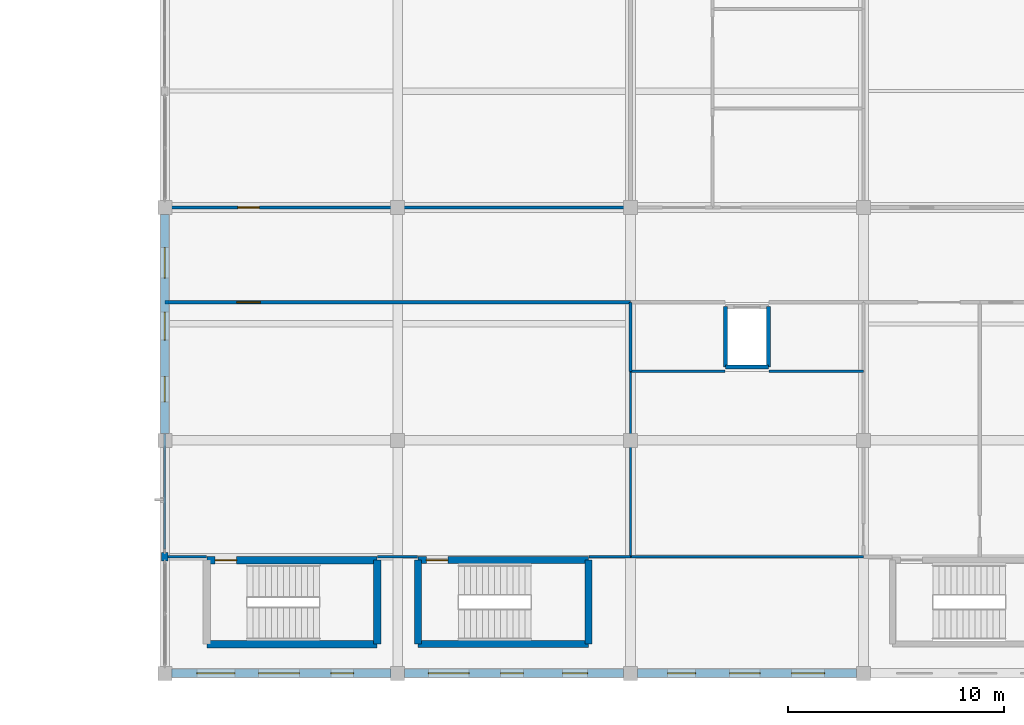
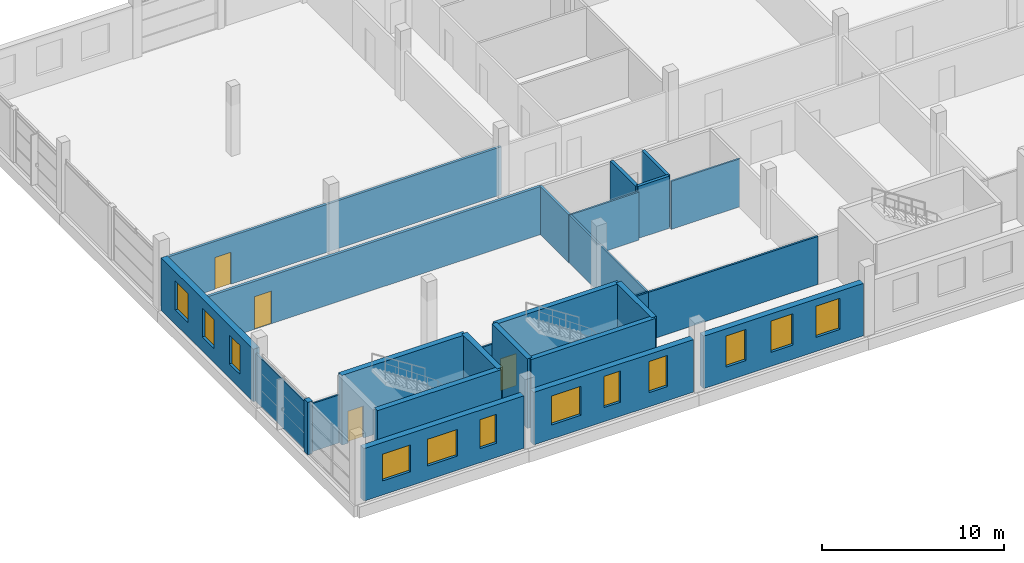
# One storey, part 14 of 24: 26 walls, 12 windows, 4 doors, 16 openings.
"""IFC4 building model written with IfcOpenShell, lengths in metres."""

from ifc_helpers import new_model, si_unit, direction, frame, frame_2d, origin, place, context, subcontext, project, spatial, rectangle, extrude, material, layer, layer_set, type_object, element, fill, save


model = new_model("IFC4")

# Units and contexts
model_context = context("Model", 3, precision=1e-05, world=origin(), true_north=direction((0.0, 1.0)))
body_context = subcontext(model_context, "Body", "Model", "MODEL_VIEW")
ifc_project = project(units=[si_unit("LENGTHUNIT", "METRE"), si_unit("AREAUNIT", "SQUARE_METRE"), si_unit("VOLUMEUNIT", "CUBIC_METRE"), si_unit("PLANEANGLEUNIT", "RADIAN"), si_unit("MASSUNIT", "GRAM", prefix="KILO")], contexts=[model_context])

# Site, building, storey
site_placement = place(None, origin())
site = spatial("IfcSite", under=ifc_project, at=site_placement, CompositionType="ELEMENT")
building_placement = place(site_placement, origin())
building = spatial("IfcBuilding", under=site, at=building_placement, Name="Zwinboog Wholesale Market", CompositionType="ELEMENT")
storey_placement = place(building_placement, frame((0.0, 0.0, 10.080078125)))
storey = spatial("IfcBuildingStorey", under=building, at=storey_placement, Name="L02", CompositionType="ELEMENT", Elevation=10.080078125)

# Wall, openings, windows
ifc_material_1 = material(Name="Precast concrete C45/55", Category="concrete")
ifc_layer_1 = layer(ifc_material_1, 0.389892578125)
ifc_layer_set_1 = layer_set([ifc_layer_1], Name="Precast concrete C45/55")
wall_type_1 = type_object("IfcWallType", Name="WT-EW-390", PredefinedType="STANDARD", material=ifc_layer_set_1)
wall_1_placement = place(storey_placement, frame((129.919921875, 0.0, 0.0), z_axis=(0.0, 0.0, 1.0), x_axis=(1.0, 0.0, 0.0)))
wall_1 = element("IfcWall", 1, at=wall_1_placement, inside=storey, type_object=wall_type_1, Name="EW-02 (WL-EW-L02-191)", PredefinedType="STANDARD", context=body_context, shape_type="SweptSolid", body=[
    extrude(rectangle(XDim=10.16015625, YDim=0.389892578125, at=frame_2d((5.080078125, 0.0))), origin(), (0.0, 0.0, 1.0), 3.530029296875),
])
opening_1_placement = place(wall_1_placement, frame((1.1650390625, 0.0, 0.949951171875)))
opening_1 = element("IfcOpeningElement", 2, at=opening_1_placement, cuts=wall_1, Name="Opening WN-55", PredefinedType="OPENING", context=body_context, shape_type="SweptSolid", body=[
    extrude(rectangle(XDim=1.77001953125, YDim=1.800048828125, at=frame_2d((0.885009765625, 0.89990234375))), frame((0.0, 0.204833984375, 0.0), z_axis=(0.0, -1.0, 0.0), x_axis=(1.0, 0.0, 0.0)), (0.0, 0.0, 1.0), 0.409912109375),
])
opening_2_placement = place(wall_1_placement, frame((4.034912109375, 0.0, 0.949951171875)))
opening_2 = element("IfcOpeningElement", 3, at=opening_2_placement, cuts=wall_1, Name="Opening WN-56", PredefinedType="OPENING", context=body_context, shape_type="SweptSolid", body=[
    extrude(rectangle(XDim=1.889892578125, YDim=1.800048828125, at=frame_2d((0.94482421875, 0.89990234375))), frame((0.0, 0.204833984375, 0.0), z_axis=(0.0, -1.0, 0.0), x_axis=(1.0, 0.0, 0.0)), (0.0, 0.0, 1.0), 0.409912109375),
])
opening_3_placement = place(wall_1_placement, frame((7.385009765625, 0.0, 0.949951171875)))
opening_3 = element("IfcOpeningElement", 4, at=opening_3_placement, cuts=wall_1, Name="Opening WN-57", PredefinedType="OPENING", context=body_context, shape_type="SweptSolid", body=[
    extrude(rectangle(XDim=1.050048828125, YDim=1.949951171875, at=frame_2d((0.52490234375, 0.97509765625))), frame((0.0, 0.204833984375, 0.0), z_axis=(0.0, -1.0, 0.0), x_axis=(1.0, 0.0, 0.0)), (0.0, 0.0, 1.0), 0.409912109375),
])
ifc_material_2 = material(Name="Thermally broken aluminium low-e window", Category="aluminium")
window_type_1 = type_object("IfcWindowType", Name="WNT-55", PartitioningType="SINGLE_PANEL", PredefinedType="WINDOW", material=ifc_material_2)
window_1_placement = place(opening_1_placement, frame((1.77001953125, 0.0, 0.0), z_axis=(0.0, 0.0, 1.0), x_axis=(-1.0, 0.0, 0.0)))
window_1 = element("IfcWindow", 5, at=window_1_placement, inside=storey, type_object=window_type_1, Name="WN-55 (WIN-L02-0199)", OverallHeight=1.800048828125, OverallWidth=1.77001953125, PartitioningType="SINGLE_PANEL", PredefinedType="WINDOW", context=body_context, shape_type="SweptSolid", body=[
    extrude(rectangle(XDim=1.77001953125, YDim=1.800048828125, at=frame_2d((0.885009765625, 0.89990234375))), frame((0.0, 0.030029296875, 0.0), z_axis=(0.0, -1.0, 0.0), x_axis=(1.0, 0.0, 0.0)), (0.0, 0.0, 1.0), 0.06005859375),
])
fill(opening_1, window_1)
window_type_2 = type_object("IfcWindowType", Name="WNT-56", PartitioningType="SINGLE_PANEL", PredefinedType="WINDOW", material=ifc_material_2)
window_2_placement = place(opening_2_placement, frame((1.889892578125, 0.0, 0.0), z_axis=(0.0, 0.0, 1.0), x_axis=(-1.0, 0.0, 0.0)))
window_2 = element("IfcWindow", 6, at=window_2_placement, inside=storey, type_object=window_type_2, Name="WN-56 (WIN-L02-0200)", OverallHeight=1.800048828125, OverallWidth=1.889892578125, PartitioningType="SINGLE_PANEL", PredefinedType="WINDOW", context=body_context, shape_type="SweptSolid", body=[
    extrude(rectangle(XDim=1.889892578125, YDim=1.800048828125, at=frame_2d((0.94482421875, 0.89990234375))), frame((0.0, 0.030029296875, 0.0), z_axis=(0.0, -1.0, 0.0), x_axis=(1.0, 0.0, 0.0)), (0.0, 0.0, 1.0), 0.06005859375),
])
fill(opening_2, window_2)
window_type_3 = type_object("IfcWindowType", Name="WNT-57", PartitioningType="SINGLE_PANEL", PredefinedType="WINDOW", material=ifc_material_2)
window_3_placement = place(opening_3_placement, frame((1.050048828125, 0.0, 0.0), z_axis=(0.0, 0.0, 1.0), x_axis=(-1.0, 0.0, 0.0)))
window_3 = element("IfcWindow", 7, at=window_3_placement, inside=storey, type_object=window_type_3, Name="WN-57 (WIN-L02-0201)", OverallHeight=1.949951171875, OverallWidth=1.050048828125, PartitioningType="SINGLE_PANEL", PredefinedType="WINDOW", context=body_context, shape_type="SweptSolid", body=[
    extrude(rectangle(XDim=1.050048828125, YDim=1.949951171875, at=frame_2d((0.52490234375, 0.97509765625))), frame((0.0, 0.030029296875, 0.0), z_axis=(0.0, -1.0, 0.0), x_axis=(1.0, 0.0, 0.0)), (0.0, 0.0, 1.0), 0.06005859375),
])
fill(opening_3, window_3)

wall_2_placement = place(storey_placement, frame((129.60009765625, 11.1201171875, 0.0), z_axis=(0.0, 0.0, 1.0), x_axis=(0.0, 1.0, 0.0)))
wall_2 = element("IfcWall", 8, at=wall_2_placement, inside=storey, type_object=wall_type_1, Name="EW-02 (WL-EW-L02-193)", PredefinedType="STANDARD", context=body_context, shape_type="SweptSolid", body=[
    extrude(rectangle(XDim=10.159912109375, YDim=0.389892578125, at=frame_2d((5.080078125, 0.0))), origin(), (0.0, 0.0, 1.0), 3.530029296875),
])
opening_4_placement = place(wall_2_placement, frame((1.465087890625, 0.0, 0.949951171875)))
opening_4 = element("IfcOpeningElement", 9, at=opening_4_placement, cuts=wall_2, Name="Opening WN-58", PredefinedType="OPENING", context=body_context, shape_type="SweptSolid", body=[
    extrude(rectangle(XDim=1.169921875, YDim=1.949951171875, at=frame_2d((0.5849609375, 0.97509765625))), frame((0.0, 0.204833984375, 0.0), z_axis=(0.0, -1.0, 0.0), x_axis=(1.0, 0.0, 0.0)), (0.0, 0.0, 1.0), 0.409912109375),
])
opening_5_placement = place(wall_2_placement, frame((4.3349609375, 0.0, 0.949951171875)))
opening_5 = element("IfcOpeningElement", 10, at=opening_5_placement, cuts=wall_2, Name="Opening WN-59", PredefinedType="OPENING", context=body_context, shape_type="SweptSolid", body=[
    extrude(rectangle(XDim=1.2900390625, YDim=1.949951171875, at=frame_2d((0.64501953125, 0.97509765625))), frame((0.0, 0.204833984375, 0.0), z_axis=(0.0, -1.0, 0.0), x_axis=(1.0, 0.0, 0.0)), (0.0, 0.0, 1.0), 0.409912109375),
])
opening_6_placement = place(wall_2_placement, frame((7.205078125, 0.0, 0.949951171875)))
opening_6 = element("IfcOpeningElement", 11, at=opening_6_placement, cuts=wall_2, Name="Opening WN-60", PredefinedType="OPENING", context=body_context, shape_type="SweptSolid", body=[
    extrude(rectangle(XDim=1.409912109375, YDim=1.949951171875, at=frame_2d((0.705078125, 0.97509765625))), frame((0.0, 0.204833984375, 0.0), z_axis=(0.0, -1.0, 0.0), x_axis=(1.0, 0.0, 0.0)), (0.0, 0.0, 1.0), 0.409912109375),
])
window_type_4 = type_object("IfcWindowType", Name="WNT-58", PartitioningType="SINGLE_PANEL", PredefinedType="WINDOW", material=ifc_material_2)
window_4_placement = place(opening_4_placement, origin())
window_4 = element("IfcWindow", 12, at=window_4_placement, inside=storey, type_object=window_type_4, Name="WN-58 (WIN-L02-0202)", OverallHeight=1.949951171875, OverallWidth=1.169921875, PartitioningType="SINGLE_PANEL", PredefinedType="WINDOW", context=body_context, shape_type="SweptSolid", body=[
    extrude(rectangle(XDim=1.169921875, YDim=1.949951171875, at=frame_2d((0.5849609375, 0.97509765625))), frame((0.0, 0.030029296875, 0.0), z_axis=(0.0, -1.0, 0.0), x_axis=(1.0, 0.0, 0.0)), (0.0, 0.0, 1.0), 0.06005859375),
])
fill(opening_4, window_4)
window_type_5 = type_object("IfcWindowType", Name="WNT-59", PartitioningType="SINGLE_PANEL", PredefinedType="WINDOW", material=ifc_material_2)
window_5_placement = place(opening_5_placement, origin())
window_5 = element("IfcWindow", 13, at=window_5_placement, inside=storey, type_object=window_type_5, Name="WN-59 (WIN-L02-0203)", OverallHeight=1.949951171875, OverallWidth=1.2900390625, PartitioningType="SINGLE_PANEL", PredefinedType="WINDOW", context=body_context, shape_type="SweptSolid", body=[
    extrude(rectangle(XDim=1.2900390625, YDim=1.949951171875, at=frame_2d((0.64501953125, 0.97509765625))), frame((0.0, 0.030029296875, 0.0), z_axis=(0.0, -1.0, 0.0), x_axis=(1.0, 0.0, 0.0)), (0.0, 0.0, 1.0), 0.06005859375),
])
fill(opening_5, window_5)
window_type_6 = type_object("IfcWindowType", Name="WNT-60", PartitioningType="SINGLE_PANEL", PredefinedType="WINDOW", material=ifc_material_2)
window_6_placement = place(opening_6_placement, origin())
window_6 = element("IfcWindow", 14, at=window_6_placement, inside=storey, type_object=window_type_6, Name="WN-60 (WIN-L02-0204)", OverallHeight=1.949951171875, OverallWidth=1.409912109375, PartitioningType="SINGLE_PANEL", PredefinedType="WINDOW", context=body_context, shape_type="SweptSolid", body=[
    extrude(rectangle(XDim=1.409912109375, YDim=1.949951171875, at=frame_2d((0.705078125, 0.97509765625))), frame((0.0, 0.030029296875, 0.0), z_axis=(0.0, -1.0, 0.0), x_axis=(1.0, 0.0, 0.0)), (0.0, 0.0, 1.0), 0.06005859375),
])
fill(opening_6, window_6)

wall_3_placement = place(storey_placement, frame((140.719970703125, 0.0, 0.0), z_axis=(0.0, 0.0, 1.0), x_axis=(1.0, 0.0, 0.0)))
wall_3 = element("IfcWall", 15, at=wall_3_placement, inside=storey, type_object=wall_type_1, Name="EW-02 (WL-EW-L02-197)", PredefinedType="STANDARD", context=body_context, shape_type="SweptSolid", body=[
    extrude(rectangle(XDim=10.159912109375, YDim=0.389892578125, at=frame_2d((5.080078125, 0.0))), origin(), (0.0, 0.0, 1.0), 3.530029296875),
])
opening_7_placement = place(wall_3_placement, frame((1.10498046875, 0.0, 0.949951171875)))
opening_7 = element("IfcOpeningElement", 16, at=opening_7_placement, cuts=wall_3, Name="Opening WN-64", PredefinedType="OPENING", context=body_context, shape_type="SweptSolid", body=[
    extrude(rectangle(XDim=1.889892578125, YDim=1.949951171875, at=frame_2d((0.94482421875, 0.97509765625))), frame((0.0, 0.204833984375, 0.0), z_axis=(0.0, -1.0, 0.0), x_axis=(1.0, 0.0, 0.0)), (0.0, 0.0, 1.0), 0.409912109375),
])
opening_8_placement = place(wall_3_placement, frame((4.455078125, 0.0, 0.949951171875)))
opening_8 = element("IfcOpeningElement", 17, at=opening_8_placement, cuts=wall_3, Name="Opening WN-65", PredefinedType="OPENING", context=body_context, shape_type="SweptSolid", body=[
    extrude(rectangle(XDim=1.050048828125, YDim=2.10009765625, at=frame_2d((0.52490234375, 1.050048828125))), frame((0.0, 0.204833984375, 0.0), z_axis=(0.0, -1.0, 0.0), x_axis=(1.0, 0.0, 0.0)), (0.0, 0.0, 1.0), 0.409912109375),
])
opening_9_placement = place(wall_3_placement, frame((7.324951171875, 0.0, 0.949951171875)))
opening_9 = element("IfcOpeningElement", 18, at=opening_9_placement, cuts=wall_3, Name="Opening WN-66", PredefinedType="OPENING", context=body_context, shape_type="SweptSolid", body=[
    extrude(rectangle(XDim=1.169921875, YDim=2.10009765625, at=frame_2d((0.5849609375, 1.050048828125))), frame((0.0, 0.204833984375, 0.0), z_axis=(0.0, -1.0, 0.0), x_axis=(1.0, 0.0, 0.0)), (0.0, 0.0, 1.0), 0.409912109375),
])
window_type_7 = type_object("IfcWindowType", Name="WNT-64", PartitioningType="SINGLE_PANEL", PredefinedType="WINDOW", material=ifc_material_2)
window_7_placement = place(opening_7_placement, frame((1.889892578125, 0.0, 0.0), z_axis=(0.0, 0.0, 1.0), x_axis=(-1.0, 0.0, 0.0)))
window_7 = element("IfcWindow", 19, at=window_7_placement, inside=storey, type_object=window_type_7, Name="WN-64 (WIN-L02-0208)", OverallHeight=1.949951171875, OverallWidth=1.889892578125, PartitioningType="SINGLE_PANEL", PredefinedType="WINDOW", context=body_context, shape_type="SweptSolid", body=[
    extrude(rectangle(XDim=1.889892578125, YDim=1.949951171875, at=frame_2d((0.94482421875, 0.97509765625))), frame((0.0, 0.030029296875, 0.0), z_axis=(0.0, -1.0, 0.0), x_axis=(1.0, 0.0, 0.0)), (0.0, 0.0, 1.0), 0.06005859375),
])
fill(opening_7, window_7)
window_type_8 = type_object("IfcWindowType", Name="WNT-65", PartitioningType="SINGLE_PANEL", PredefinedType="WINDOW", material=ifc_material_2)
window_8_placement = place(opening_8_placement, frame((1.050048828125, 0.0, 0.0), z_axis=(0.0, 0.0, 1.0), x_axis=(-1.0, 0.0, 0.0)))
window_8 = element("IfcWindow", 20, at=window_8_placement, inside=storey, type_object=window_type_8, Name="WN-65 (WIN-L02-0209)", OverallHeight=2.10009765625, OverallWidth=1.050048828125, PartitioningType="SINGLE_PANEL", PredefinedType="WINDOW", context=body_context, shape_type="SweptSolid", body=[
    extrude(rectangle(XDim=1.050048828125, YDim=2.10009765625, at=frame_2d((0.52490234375, 1.050048828125))), frame((0.0, 0.030029296875, 0.0), z_axis=(0.0, -1.0, 0.0), x_axis=(1.0, 0.0, 0.0)), (0.0, 0.0, 1.0), 0.06005859375),
])
fill(opening_8, window_8)
window_type_9 = type_object("IfcWindowType", Name="WNT-66", PartitioningType="SINGLE_PANEL", PredefinedType="WINDOW", material=ifc_material_2)
window_9_placement = place(opening_9_placement, frame((1.169921875, 0.0, 0.0), z_axis=(0.0, 0.0, 1.0), x_axis=(-1.0, 0.0, 0.0)))
window_9 = element("IfcWindow", 21, at=window_9_placement, inside=storey, type_object=window_type_9, Name="WN-66 (WIN-L02-0210)", OverallHeight=2.10009765625, OverallWidth=1.169921875, PartitioningType="SINGLE_PANEL", PredefinedType="WINDOW", context=body_context, shape_type="SweptSolid", body=[
    extrude(rectangle(XDim=1.169921875, YDim=2.10009765625, at=frame_2d((0.5849609375, 1.050048828125))), frame((0.0, 0.030029296875, 0.0), z_axis=(0.0, -1.0, 0.0), x_axis=(1.0, 0.0, 0.0)), (0.0, 0.0, 1.0), 0.06005859375),
])
fill(opening_9, window_9)

wall_4_placement = place(storey_placement, frame((151.52001953125, 0.0, 0.0), z_axis=(0.0, 0.0, 1.0), x_axis=(1.0, 0.0, 0.0)))
wall_4 = element("IfcWall", 22, at=wall_4_placement, inside=storey, type_object=wall_type_1, Name="EW-02 (WL-EW-L02-199)", PredefinedType="STANDARD", context=body_context, shape_type="SweptSolid", body=[
    extrude(rectangle(XDim=10.159912109375, YDim=0.389892578125, at=frame_2d((5.080078125, 0.0))), origin(), (0.0, 0.0, 1.0), 3.530029296875),
])
opening_10_placement = place(wall_4_placement, frame((1.405029296875, 0.0, 0.949951171875)))
opening_10 = element("IfcOpeningElement", 23, at=opening_10_placement, cuts=wall_4, Name="Opening WN-67", PredefinedType="OPENING", context=body_context, shape_type="SweptSolid", body=[
    extrude(rectangle(XDim=1.2900390625, YDim=2.10009765625, at=frame_2d((0.64501953125, 1.050048828125))), frame((0.0, 0.204833984375, 0.0), z_axis=(0.0, -1.0, 0.0), x_axis=(1.0, 0.0, 0.0)), (0.0, 0.0, 1.0), 0.409912109375),
])
opening_11_placement = place(wall_4_placement, frame((4.27490234375, 0.0, 0.949951171875)))
opening_11 = element("IfcOpeningElement", 24, at=opening_11_placement, cuts=wall_4, Name="Opening WN-68", PredefinedType="OPENING", context=body_context, shape_type="SweptSolid", body=[
    extrude(rectangle(XDim=1.409912109375, YDim=2.10009765625, at=frame_2d((0.705078125, 1.050048828125))), frame((0.0, 0.204833984375, 0.0), z_axis=(0.0, -1.0, 0.0), x_axis=(1.0, 0.0, 0.0)), (0.0, 0.0, 1.0), 0.409912109375),
])
opening_12_placement = place(wall_4_placement, frame((7.14501953125, 0.0, 0.949951171875)))
opening_12 = element("IfcOpeningElement", 25, at=opening_12_placement, cuts=wall_4, Name="Opening WN-69", PredefinedType="OPENING", context=body_context, shape_type="SweptSolid", body=[
    extrude(rectangle(XDim=1.530029296875, YDim=2.10009765625, at=frame_2d((0.76513671875, 1.050048828125))), frame((0.0, 0.204833984375, 0.0), z_axis=(0.0, -1.0, 0.0), x_axis=(1.0, 0.0, 0.0)), (0.0, 0.0, 1.0), 0.409912109375),
])
window_type_10 = type_object("IfcWindowType", Name="WNT-67", PartitioningType="SINGLE_PANEL", PredefinedType="WINDOW", material=ifc_material_2)
window_10_placement = place(opening_10_placement, frame((1.2900390625, 0.0, 0.0), z_axis=(0.0, 0.0, 1.0), x_axis=(-1.0, 0.0, 0.0)))
window_10 = element("IfcWindow", 26, at=window_10_placement, inside=storey, type_object=window_type_10, Name="WN-67 (WIN-L02-0211)", OverallHeight=2.10009765625, OverallWidth=1.2900390625, PartitioningType="SINGLE_PANEL", PredefinedType="WINDOW", context=body_context, shape_type="SweptSolid", body=[
    extrude(rectangle(XDim=1.2900390625, YDim=2.10009765625, at=frame_2d((0.64501953125, 1.050048828125))), frame((0.0, 0.030029296875, 0.0), z_axis=(0.0, -1.0, 0.0), x_axis=(1.0, 0.0, 0.0)), (0.0, 0.0, 1.0), 0.06005859375),
])
fill(opening_10, window_10)
window_type_11 = type_object("IfcWindowType", Name="WNT-68", PartitioningType="SINGLE_PANEL", PredefinedType="WINDOW", material=ifc_material_2)
window_11_placement = place(opening_11_placement, frame((1.409912109375, 0.0, 0.0), z_axis=(0.0, 0.0, 1.0), x_axis=(-1.0, 0.0, 0.0)))
window_11 = element("IfcWindow", 27, at=window_11_placement, inside=storey, type_object=window_type_11, Name="WN-68 (WIN-L02-0212)", OverallHeight=2.10009765625, OverallWidth=1.409912109375, PartitioningType="SINGLE_PANEL", PredefinedType="WINDOW", context=body_context, shape_type="SweptSolid", body=[
    extrude(rectangle(XDim=1.409912109375, YDim=2.10009765625, at=frame_2d((0.705078125, 1.050048828125))), frame((0.0, 0.030029296875, 0.0), z_axis=(0.0, -1.0, 0.0), x_axis=(1.0, 0.0, 0.0)), (0.0, 0.0, 1.0), 0.06005859375),
])
fill(opening_11, window_11)
window_type_12 = type_object("IfcWindowType", Name="WNT-69", PartitioningType="SINGLE_PANEL", PredefinedType="WINDOW", material=ifc_material_2)
window_12_placement = place(opening_12_placement, frame((1.530029296875, 0.0, 0.0), z_axis=(0.0, 0.0, 1.0), x_axis=(-1.0, 0.0, 0.0)))
window_12 = element("IfcWindow", 28, at=window_12_placement, inside=storey, type_object=window_type_12, Name="WN-69 (WIN-L02-0213)", OverallHeight=2.10009765625, OverallWidth=1.530029296875, PartitioningType="SINGLE_PANEL", PredefinedType="WINDOW", context=body_context, shape_type="SweptSolid", body=[
    extrude(rectangle(XDim=1.530029296875, YDim=2.10009765625, at=frame_2d((0.76513671875, 1.050048828125))), frame((0.0, 0.030029296875, 0.0), z_axis=(0.0, -1.0, 0.0), x_axis=(1.0, 0.0, 0.0)), (0.0, 0.0, 1.0), 0.06005859375),
])
fill(opening_12, window_12)

# Walls
ifc_layer_2 = layer(ifc_material_1, 0.304931640625)
ifc_layer_set_2 = layer_set([ifc_layer_2], Name="Precast concrete C45/55")
wall_type_2 = type_object("IfcWallType", Name="WT-EW-305", PredefinedType="STANDARD", material=ifc_layer_set_2)
wall_5_placement = place(storey_placement, frame((129.60009765625, 5.199951171875, 0.0), z_axis=(0.0, 0.0, 1.0), x_axis=(0.0, 1.0, 0.0)))
element("IfcWall", 29, at=wall_5_placement, inside=storey, type_object=wall_type_2, Name="EW-07 (WL-PIER-L02-192)", PredefinedType="STANDARD", context=body_context, shape_type="SweptSolid", body=[
    extrude(rectangle(XDim=0.400146484375, YDim=0.304931640625, at=frame_2d((0.2001953125, 0.0))), origin(), (0.0, 0.0, 1.0), 3.530029296875),
])
ifc_material_3 = material(Name="Concrete C40/50", Category="concrete")
ifc_layer_3 = layer(ifc_material_3, 0.320068359375)
ifc_layer_set_3 = layer_set([ifc_layer_3], Name="Concrete C40/50")
wall_type_3 = type_object("IfcWallType", Name="WT-SW-320", PredefinedType="SHEAR", material=ifc_layer_set_3)
wall_6_placement = place(storey_placement, frame((141.35009765625, 1.35009765625, 0.0), z_axis=(0.0, 0.0, 1.0), x_axis=(1.0, 0.0, 0.0)))
element("IfcWall", 30, at=wall_6_placement, inside=storey, type_object=wall_type_3, Name="SW-03 (WL-SW-L02-137)", PredefinedType="SHEAR", context=body_context, shape_type="SweptSolid", body=[
    extrude(rectangle(XDim=7.89990234375, YDim=0.320068359375, at=frame_2d((3.949951171875, 0.0))), origin(), (0.0, 0.0, 1.0), 4.679931640625),
])

# Wall, opening, door
wall_7_placement = place(storey_placement, frame((141.35009765625, 5.25, 0.0), z_axis=(0.0, 0.0, 1.0), x_axis=(1.0, 0.0, 0.0)))
wall_7 = element("IfcWall", 31, at=wall_7_placement, inside=storey, type_object=wall_type_3, Name="SW-03 (WL-SW-L02-138)", PredefinedType="SHEAR", context=body_context, shape_type="SweptSolid", body=[
    extrude(rectangle(XDim=7.89990234375, YDim=0.320068359375, at=frame_2d((3.949951171875, 0.0))), origin(), (0.0, 0.0, 1.0), 4.679931640625),
])
opening_13_placement = place(wall_7_placement, frame((0.3798828125, 0.0, 0.0)))
opening_13 = element("IfcOpeningElement", 32, at=opening_13_placement, cuts=wall_7, Name="Opening FD-0035", PredefinedType="OPENING", context=body_context, shape_type="SweptSolid", body=[
    extrude(rectangle(XDim=1.0, YDim=2.14990234375, at=frame_2d((0.5, 1.074951171875))), frame((0.0, 0.169921875, 0.0), z_axis=(0.0, -1.0, 0.0), x_axis=(1.0, 0.0, 0.0)), (0.0, 0.0, 1.0), 0.340087890625),
])
ifc_material_4 = material(Name="Timber and powder-coated steel door leaf", Category="steel")
door_type_1 = type_object("IfcDoorType", Name="IDT-FD-01", OperationType="NOTDEFINED", PredefinedType="DOOR", material=ifc_material_4)
door_1_placement = place(opening_13_placement, origin())
door_1 = element("IfcDoor", 33, at=door_1_placement, inside=storey, type_object=door_type_1, Name="Core Fire Door FD-0035", OperationType="SINGLE_SWING_RIGHT", OverallHeight=2.14990234375, OverallWidth=1.0, PredefinedType="DOOR", context=body_context, shape_type="SweptSolid", body=[
    extrude(rectangle(XDim=1.0, YDim=2.14990234375, at=frame_2d((0.5, 1.074951171875))), frame((0.0, 0.02490234375, 0.0), z_axis=(0.0, -1.0, 0.0), x_axis=(1.0, 0.0, 0.0)), (0.0, 0.0, 1.0), 0.050048828125),
])
fill(opening_13, door_1)

# Walls
for number, where, z_axis, x_axis, name in (
    (34, (141.35009765625, 1.35009765625, 0.0), (0.0, 0.0, 1.0), (0.0, 1.0, 0.0), "SW-03 (WL-SW-L02-139)"),
    (35, (149.25, 1.35009765625, 0.0), (0.0, 0.0, 1.0), (0.0, 1.0, 0.0), "SW-03 (WL-SW-L02-140)"),
):
    element("IfcWall", number, at=place(storey_placement, frame(where, z_axis=z_axis, x_axis=x_axis)), inside=storey, type_object=wall_type_3, Name=name, PredefinedType="SHEAR", context=body_context, shape_type="SweptSolid", body=[
        extrude(rectangle(XDim=3.89990234375, YDim=0.320068359375, at=frame_2d((1.949951171875, 0.0))), origin(), (0.0, 0.0, 1.0), 4.679931640625),
    ])
ifc_layer_4 = layer(ifc_material_3, 0.35009765625)
ifc_layer_set_4 = layer_set([ifc_layer_4], Name="Concrete C40/50")
wall_type_4 = type_object("IfcWallType", Name="WT-SW-350", PredefinedType="SHEAR", material=ifc_layer_set_4)
wall_8_placement = place(storey_placement, frame((131.550048828125, 1.35009765625, 0.0), z_axis=(0.0, 0.0, 1.0), x_axis=(1.0, 0.0, 0.0)))
element("IfcWall", 36, at=wall_8_placement, inside=storey, type_object=wall_type_4, Name="SW-04 (WL-SW-L02-089)", PredefinedType="SHEAR", context=body_context, shape_type="SweptSolid", body=[
    extrude(rectangle(XDim=7.89990234375, YDim=0.35009765625, at=frame_2d((3.949951171875, 0.0))), origin(), (0.0, 0.0, 1.0), 4.679931640625),
])

# Wall, opening, door
wall_9_placement = place(storey_placement, frame((131.550048828125, 5.25, 0.0), z_axis=(0.0, 0.0, 1.0), x_axis=(1.0, 0.0, 0.0)))
wall_9 = element("IfcWall", 37, at=wall_9_placement, inside=storey, type_object=wall_type_4, Name="SW-04 (WL-SW-L02-090)", PredefinedType="SHEAR", context=body_context, shape_type="SweptSolid", body=[
    extrude(rectangle(XDim=7.89990234375, YDim=0.35009765625, at=frame_2d((3.949951171875, 0.0))), origin(), (0.0, 0.0, 1.0), 4.679931640625),
])
opening_14_placement = place(wall_9_placement, frame((0.3798828125, 0.0, 0.0)))
opening_14 = element("IfcOpeningElement", 38, at=opening_14_placement, cuts=wall_9, Name="Opening FD-0023", PredefinedType="OPENING", context=body_context, shape_type="SweptSolid", body=[
    extrude(rectangle(XDim=1.0, YDim=2.14990234375, at=frame_2d((0.5, 1.074951171875))), frame((0.0, 0.18505859375, 0.0), z_axis=(0.0, -1.0, 0.0), x_axis=(1.0, 0.0, 0.0)), (0.0, 0.0, 1.0), 0.3701171875),
])
door_2_placement = place(opening_14_placement, origin())
door_2 = element("IfcDoor", 39, at=door_2_placement, inside=storey, type_object=door_type_1, Name="Core Fire Door FD-0023", OperationType="SINGLE_SWING_RIGHT", OverallHeight=2.14990234375, OverallWidth=1.0, PredefinedType="DOOR", context=body_context, shape_type="SweptSolid", body=[
    extrude(rectangle(XDim=1.0, YDim=2.14990234375, at=frame_2d((0.5, 1.074951171875))), frame((0.0, 0.02490234375, 0.0), z_axis=(0.0, -1.0, 0.0), x_axis=(1.0, 0.0, 0.0)), (0.0, 0.0, 1.0), 0.050048828125),
])
fill(opening_14, door_2)

# Walls
wall_10_placement = place(storey_placement, frame((139.449951171875, 1.35009765625, 0.0), z_axis=(0.0, 0.0, 1.0), x_axis=(0.0, 1.0, 0.0)))
element("IfcWall", 40, at=wall_10_placement, inside=storey, type_object=wall_type_4, Name="SW-04 (WL-SW-L02-092)", PredefinedType="SHEAR", context=body_context, shape_type="SweptSolid", body=[
    extrude(rectangle(XDim=3.89990234375, YDim=0.35009765625, at=frame_2d((1.949951171875, 0.0))), origin(), (0.0, 0.0, 1.0), 4.679931640625),
])
ifc_layer_5 = layer(ifc_material_1, 0.199951171875)
ifc_layer_set_5 = layer_set([ifc_layer_5], Name="Precast concrete C45/55")
wall_type_5 = type_object("IfcWallType", Name="WT-IW-200", PredefinedType="SOLIDWALL", material=ifc_layer_set_5)
wall_11_placement = place(storey_placement, frame((155.60009765625, 14.199951171875, 0.0), z_axis=(0.0, 0.0, 1.0), x_axis=(1.0, 0.0, 0.0)))
element("IfcWall", 41, at=wall_11_placement, inside=storey, type_object=wall_type_5, Name="IW-60 (WL-LSH-L02-221)", PredefinedType="SOLIDWALL", context=body_context, shape_type="SweptSolid", body=[
    extrude(rectangle(XDim=2.0, YDim=0.199951171875, at=frame_2d((1.0, 0.0))), origin(), (0.0, 0.0, 1.0), 3.5),
])
for number, where, z_axis, x_axis, name in (
    (42, (155.60009765625, 14.199951171875, 0.0), (0.0, 0.0, 1.0), (0.0, 1.0, 0.0), "IW-60 (WL-LSH-L02-223)"),
    (43, (157.60009765625, 14.199951171875, 0.0), (0.0, 0.0, 1.0), (0.0, 1.0, 0.0), "IW-60 (WL-LSH-L02-224)"),
):
    element("IfcWall", number, at=place(storey_placement, frame(where, z_axis=z_axis, x_axis=x_axis)), inside=storey, type_object=wall_type_5, Name=name, PredefinedType="SOLIDWALL", context=body_context, shape_type="SweptSolid", body=[
        extrude(rectangle(XDim=2.800048828125, YDim=0.199951171875, at=frame_2d((1.39990234375, 0.0))), origin(), (0.0, 0.0, 1.0), 3.5),
    ])
ifc_material_5 = material(Name="Gypsum acoustic stud partition")
ifc_layer_6 = layer(ifc_material_5, 0.10791015625)
ifc_layer_set_6 = layer_set([ifc_layer_6], Name="Gypsum acoustic stud partition")
wall_type_6 = type_object("IfcWallType", Name="WT-PT-108", PredefinedType="PARTITIONING", material=ifc_layer_set_6)
wall_12_placement = place(storey_placement, frame((129.732421875, 5.39990234375, 0.0), z_axis=(0.0, 0.0, 1.0), x_axis=(1.0, 0.0, 0.0)))
element("IfcWall", 44, at=wall_12_placement, inside=storey, type_object=wall_type_6, Name="PW-01 (WL-IN-L02-0256)", PredefinedType="PARTITIONING", context=body_context, shape_type="SweptSolid", body=[
    extrude(rectangle(XDim=1.797607421875, YDim=0.10791015625, at=frame_2d((0.89892578125, 0.0))), origin(), (0.0, 0.0, 1.0), 3.22998046875),
])
wall_13_placement = place(storey_placement, frame((139.469970703125, 5.39990234375, 0.0), z_axis=(0.0, 0.0, 1.0), x_axis=(1.0, 0.0, 0.0)))
element("IfcWall", 45, at=wall_13_placement, inside=storey, type_object=wall_type_6, Name="PW-01 (WL-IN-L02-0257)", PredefinedType="PARTITIONING", context=body_context, shape_type="SweptSolid", body=[
    extrude(rectangle(XDim=1.860107421875, YDim=0.10791015625, at=frame_2d((0.93017578125, 0.0))), origin(), (0.0, 0.0, 1.0), 3.22998046875),
])
wall_14_placement = place(storey_placement, frame((149.27001953125, 5.39990234375, 0.0), z_axis=(0.0, 0.0, 1.0), x_axis=(1.0, 0.0, 0.0)))
element("IfcWall", 46, at=wall_14_placement, inside=storey, type_object=wall_type_6, Name="PW-01 (WL-IN-L02-0258)", PredefinedType="PARTITIONING", context=body_context, shape_type="SweptSolid", body=[
    extrude(rectangle(XDim=1.929931640625, YDim=0.10791015625, at=frame_2d((0.96484375, 0.0))), origin(), (0.0, 0.0, 1.0), 3.22998046875),
])
wall_15_placement = place(storey_placement, frame((129.60009765625, 5.75244140625, 0.0), z_axis=(0.0, 0.0, 1.0), x_axis=(0.0, 1.0, 0.0)))
element("IfcWall", 47, at=wall_15_placement, inside=storey, type_object=wall_type_6, Name="PW-01 (WL-IN-L02-0259)", PredefinedType="PARTITIONING", context=body_context, shape_type="SweptSolid", body=[
    extrude(rectangle(XDim=5.34765625, YDim=0.10791015625, at=frame_2d((2.673828125, 0.0))), origin(), (0.0, 0.0, 1.0), 3.22998046875),
])
wall_16_placement = place(storey_placement, frame((151.199951171875, 5.39990234375, 0.0), z_axis=(0.0, 0.0, 1.0), x_axis=(0.0, 1.0, 0.0)))
element("IfcWall", 48, at=wall_16_placement, inside=storey, type_object=wall_type_6, Name="PW-01 (WL-IN-L02-0265)", PredefinedType="PARTITIONING", context=body_context, shape_type="SweptSolid", body=[
    extrude(rectangle(XDim=8.60009765625, YDim=0.10791015625, at=frame_2d((4.300048828125, 0.0))), origin(), (0.0, 0.0, 1.0), 3.22998046875),
])
wall_17_placement = place(storey_placement, frame((151.199951171875, 14.0, 0.0), z_axis=(0.0, 0.0, 1.0), x_axis=(1.0, 0.0, 0.0)))
element("IfcWall", 49, at=wall_17_placement, inside=storey, type_object=wall_type_6, Name="PW-01 (WL-IN-L02-0268)", PredefinedType="PARTITIONING", context=body_context, shape_type="SweptSolid", body=[
    extrude(rectangle(XDim=4.380126953125, YDim=0.10791015625, at=frame_2d((2.18994140625, 0.0))), origin(), (0.0, 0.0, 1.0), 3.22998046875),
])
wall_18_placement = place(storey_placement, frame((157.6201171875, 14.0, 0.0), z_axis=(0.0, 0.0, 1.0), x_axis=(1.0, 0.0, 0.0)))
element("IfcWall", 50, at=wall_18_placement, inside=storey, type_object=wall_type_6, Name="PW-01 (WL-IN-L02-0269)", PredefinedType="PARTITIONING", context=body_context, shape_type="SweptSolid", body=[
    extrude(rectangle(XDim=4.3798828125, YDim=0.10791015625, at=frame_2d((2.18994140625, 0.0))), origin(), (0.0, 0.0, 1.0), 3.22998046875),
])
ifc_layer_7 = layer(ifc_material_5, 0.1240234375)
ifc_layer_set_7 = layer_set([ifc_layer_7], Name="Gypsum acoustic stud partition")
wall_type_7 = type_object("IfcWallType", Name="WT-PT-124", PredefinedType="PARTITIONING", material=ifc_layer_set_7)
wall_19_placement = place(storey_placement, frame((151.199951171875, 5.39990234375, 0.0), z_axis=(0.0, 0.0, 1.0), x_axis=(1.0, 0.0, 0.0)))
element("IfcWall", 51, at=wall_19_placement, inside=storey, type_object=wall_type_7, Name="PW-02 (WL-IN-L02-0266)", PredefinedType="PARTITIONING", context=body_context, shape_type="SweptSolid", body=[
    extrude(rectangle(XDim=10.800048828125, YDim=0.1240234375, at=frame_2d((5.39990234375, 0.0))), origin(), (0.0, 0.0, 1.0), 3.22998046875),
])
ifc_material_6 = material(Name="Hygienic washable stud partition")
ifc_layer_8 = layer(ifc_material_6, 0.137939453125)
ifc_layer_set_8 = layer_set([ifc_layer_8], Name="Hygienic washable stud partition")
wall_type_8 = type_object("IfcWallType", Name="WT-PT-138", PredefinedType="PARTITIONING", material=ifc_layer_set_8)
wall_20_placement = place(storey_placement, frame((151.199951171875, 14.0, 0.0), z_axis=(0.0, 0.0, 1.0), x_axis=(0.0, 1.0, 0.0)))
element("IfcWall", 52, at=wall_20_placement, inside=storey, type_object=wall_type_8, Name="PW-03 (WL-IN-L02-0267)", PredefinedType="PARTITIONING", context=body_context, shape_type="SweptSolid", body=[
    extrude(rectangle(XDim=3.199951171875, YDim=0.137939453125, at=frame_2d((1.60009765625, 0.0))), origin(), (0.0, 0.0, 1.0), 3.22998046875),
])

# Wall, opening, door
ifc_material_7 = material(Name="Fire-rated corridor stud partition")
ifc_layer_9 = layer(ifc_material_7, 0.154052734375)
ifc_layer_set_9 = layer_set([ifc_layer_9], Name="Fire-rated corridor stud partition")
wall_type_9 = type_object("IfcWallType", Name="WT-PT-154", PredefinedType="PARTITIONING", material=ifc_layer_set_9)
wall_21_placement = place(storey_placement, frame((129.60009765625, 21.60009765625, 0.0), z_axis=(0.0, 0.0, 1.0), x_axis=(1.0, 0.0, 0.0)))
wall_21 = element("IfcWall", 53, at=wall_21_placement, inside=storey, type_object=wall_type_9, Name="PW-04 (WL-IN-L02-0247)", PredefinedType="PARTITIONING", context=body_context, shape_type="SweptSolid", body=[
    extrude(rectangle(XDim=21.599853515625, YDim=0.154052734375, at=frame_2d((10.7998046875, 0.0))), origin(), (0.0, 0.0, 1.0), 3.22998046875),
])
opening_15_placement = place(wall_21_placement, frame((3.387939453125, 0.0, 0.0)))
opening_15 = element("IfcOpeningElement", 54, at=opening_15_placement, cuts=wall_21, Name="Opening IDF-0085", PredefinedType="OPENING", context=body_context, shape_type="SweptSolid", body=[
    extrude(rectangle(XDim=1.0, YDim=2.14990234375, at=frame_2d((0.5, 1.074951171875))), frame((0.0, 0.0869140625, 0.0), z_axis=(0.0, -1.0, 0.0), x_axis=(1.0, 0.0, 0.0)), (0.0, 0.0, 1.0), 0.174072265625),
])
door_3_placement = place(opening_15_placement, origin())
door_3 = element("IfcDoor", 55, at=door_3_placement, inside=storey, type_object=door_type_1, Name="Interior Door IDF-0085", OperationType="SINGLE_SWING_RIGHT", OverallHeight=2.14990234375, OverallWidth=1.0, PredefinedType="DOOR", context=body_context, shape_type="SweptSolid", body=[
    extrude(rectangle(XDim=1.0, YDim=2.14990234375, at=frame_2d((0.5, 1.074951171875))), frame((0.0, 0.02490234375, 0.0), z_axis=(0.0, -1.0, 0.0), x_axis=(1.0, 0.0, 0.0)), (0.0, 0.0, 1.0), 0.050048828125),
])
fill(opening_15, door_3)

ifc_material_8 = material(Name="Laboratory acoustic partition")
ifc_layer_10 = layer(ifc_material_8, 0.16796875)
ifc_layer_set_10 = layer_set([ifc_layer_10], Name="Laboratory acoustic partition")
wall_type_10 = type_object("IfcWallType", Name="WT-PT-168", PredefinedType="PARTITIONING", material=ifc_layer_set_10)
wall_22_placement = place(storey_placement, frame((129.60009765625, 17.199951171875, 0.0), z_axis=(0.0, 0.0, 1.0), x_axis=(1.0, 0.0, 0.0)))
wall_22 = element("IfcWall", 56, at=wall_22_placement, inside=storey, type_object=wall_type_10, Name="PW-05 (WL-IN-L02-0246)", PredefinedType="PARTITIONING", context=body_context, shape_type="SweptSolid", body=[
    extrude(rectangle(XDim=21.599853515625, YDim=0.16796875, at=frame_2d((10.7998046875, 0.0))), origin(), (0.0, 0.0, 1.0), 3.22998046875),
])
opening_16_placement = place(wall_22_placement, frame((3.337890625, 0.0, 0.0)))
opening_16 = element("IfcOpeningElement", 57, at=opening_16_placement, cuts=wall_22, Name="Opening IDF-0084", PredefinedType="OPENING", context=body_context, shape_type="SweptSolid", body=[
    extrude(rectangle(XDim=1.10009765625, YDim=2.199951171875, at=frame_2d((0.550048828125, 1.10009765625))), frame((0.0, 0.093994140625, 0.0), z_axis=(0.0, -1.0, 0.0), x_axis=(1.0, 0.0, 0.0)), (0.0, 0.0, 1.0), 0.18798828125),
])
door_type_2 = type_object("IfcDoorType", Name="IDT-FD-02", OperationType="NOTDEFINED", PredefinedType="DOOR", material=ifc_material_4)
door_4_placement = place(opening_16_placement, frame((1.10009765625, 0.0, 0.0), z_axis=(0.0, 0.0, 1.0), x_axis=(-1.0, 0.0, 0.0)))
door_4 = element("IfcDoor", 58, at=door_4_placement, inside=storey, type_object=door_type_2, Name="Interior Door IDF-0084", OperationType="SINGLE_SWING_LEFT", OverallHeight=2.199951171875, OverallWidth=1.10009765625, PredefinedType="DOOR", context=body_context, shape_type="SweptSolid", body=[
    extrude(rectangle(XDim=1.10009765625, YDim=2.199951171875, at=frame_2d((0.550048828125, 1.10009765625))), frame((0.0, 0.02490234375, 0.0), z_axis=(0.0, -1.0, 0.0), x_axis=(1.0, 0.0, 0.0)), (0.0, 0.0, 1.0), 0.050048828125),
])
fill(opening_16, door_4)

save(model, "model.ifc")
